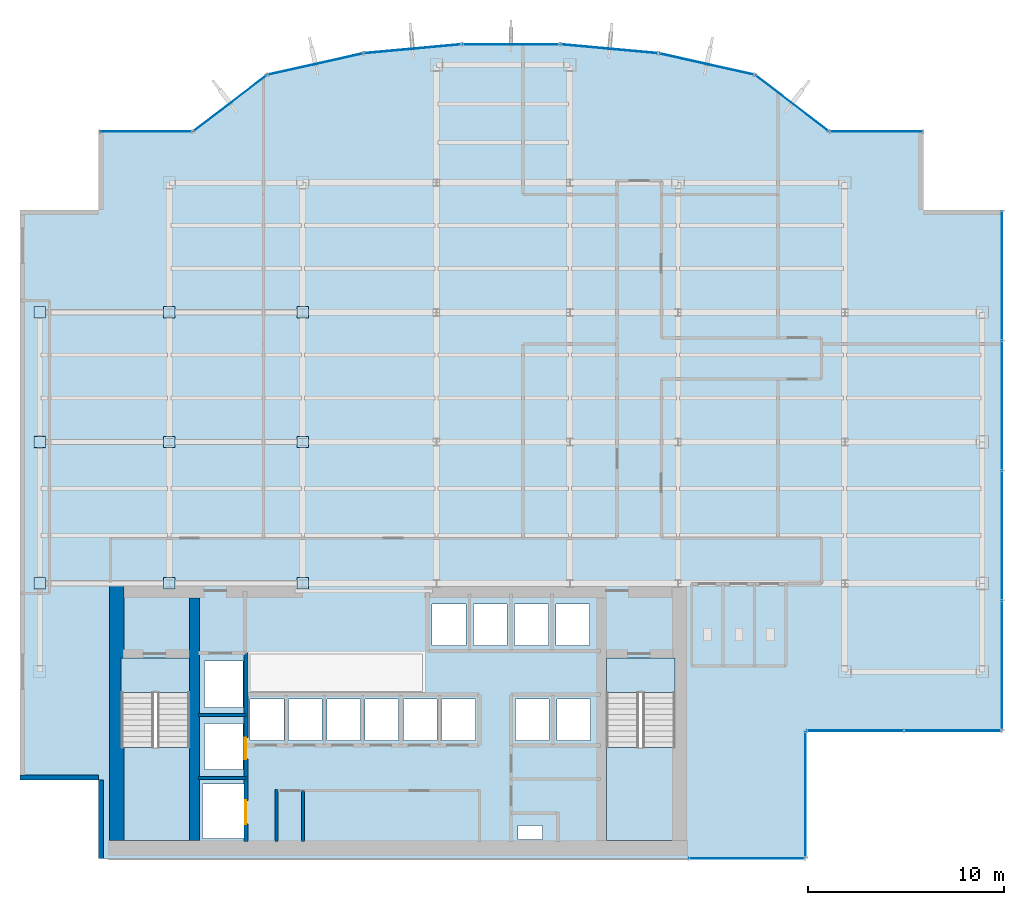
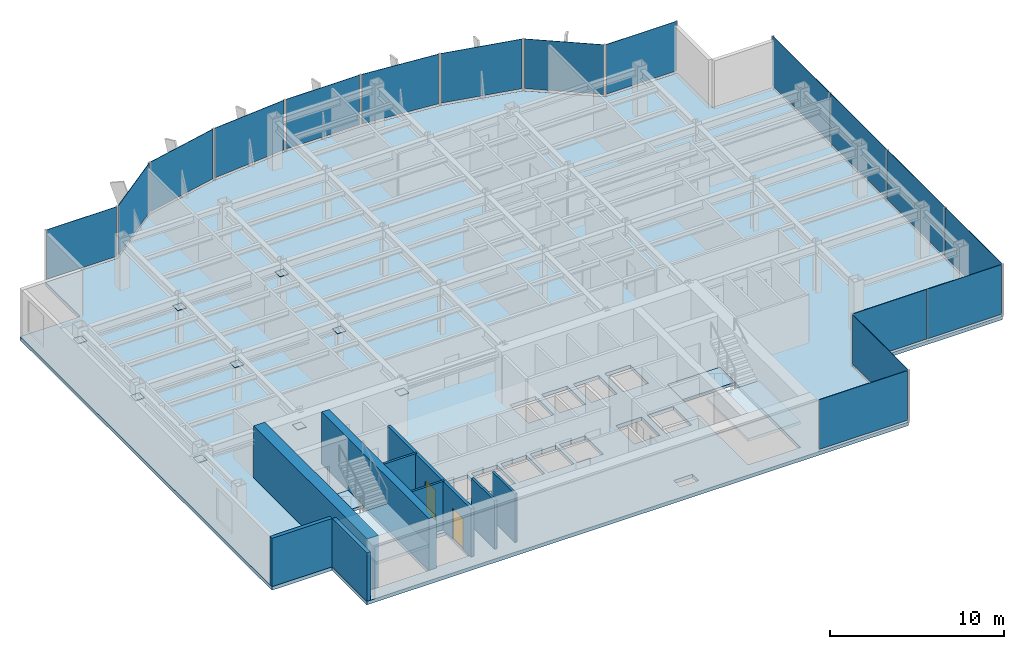
# One storey, part 13 of 19: 26 plates, 9 walls, 5 slabs, 2 doors, 2 openings, 15 elements without a shape of their own.
"""IFC4 building model written with IfcOpenShell, lengths in metres."""

from ifc_helpers import new_model, si_unit, derived_unit, direction, frame, frame_2d, origin, origin_2d, place, context, subcontext, project, spatial, polyline, rectangle, outline, extrude, source, transform, mapped, material, layer, layer_set, type_object, element, fill, aggregate, save


model = new_model("IFC4")

# Units and contexts
model_context = context("Model", 3, precision=1e-05, world=origin(), true_north=direction((0.0, 1.0)))
body_context = subcontext(model_context, "Body", "Model", "MODEL_VIEW")
ifc_project = project(units=[si_unit("LENGTHUNIT", "METRE"), si_unit("AREAUNIT", "SQUARE_METRE"), si_unit("VOLUMEUNIT", "CUBIC_METRE"), si_unit("PLANEANGLEUNIT", "RADIAN"), si_unit("MASSUNIT", "GRAM", prefix="KILO"), derived_unit("THERMALTRANSMITTANCEUNIT", [(si_unit("POWERUNIT", "WATT"), 1), (si_unit("LENGTHUNIT", "METRE"), -2), (si_unit("THERMODYNAMICTEMPERATUREUNIT", "KELVIN"), -1)])], contexts=[model_context])

# Site, building, storey
site_placement = place(None, origin())
site = spatial("IfcSite", under=ifc_project, at=site_placement, CompositionType="ELEMENT")
building_placement = place(site_placement, origin())
building = spatial("IfcBuilding", under=site, at=building_placement, Name="Skarnbrae Concourse Arena and Tower", CompositionType="ELEMENT")
storey_placement = place(building_placement, frame((0.0, 0.0, 180.75)))
storey = spatial("IfcBuildingStorey", under=building, at=storey_placement, Name="L46", CompositionType="ELEMENT", Elevation=180.75)

# Stair, slab
ifc_material_1 = material(Name="Concrete 40 MPa (C40/50)", Category="concrete")
stair_type = type_object("IfcStairType", Name="STAIR-DOGLEG-1650", PredefinedType="HALF_TURN_STAIR", material=ifc_material_1)
stair_1_placement = place(storey_placement, origin())
stair_1 = element("IfcStair", 1, at=stair_1_placement, inside=storey, type_object=stair_type, Name="L46 Protected Exit Stair ST-1", PredefinedType="HALF_TURN_STAIR")
ifc_layer_1 = layer(ifc_material_1, 0.199951171875)
ifc_layer_set_1 = layer_set([ifc_layer_1], Name="Concrete 40 MPa (C40/50)")
slab_type_1 = type_object("IfcSlabType", Name="SLAB-LANDING-200", PredefinedType="LANDING", material=ifc_layer_set_1)
slab_1_placement = place(storey_placement, frame((0.0, 0.0, 1.625)))
slab_1 = element("IfcSlab", 2, at=slab_1_placement, type_object=slab_type_1, Name="ST-1 landing 1", PredefinedType="LANDING", context=body_context, shape_type="SweptSolid", body=[
    extrude(outline(polyline([(5.14990234375, 5.64990234375), (5.14990234375, 0.89990234375), (8.64990234375, 0.89990234375), (8.64990234375, 5.64990234375), (5.14990234375, 5.64990234375)])), origin(), (0.0, 0.0, 1.0), 0.199951171875),
])
aggregate(stair_1, [slab_1])

stair_2_placement = place(storey_placement, origin())
stair_2 = element("IfcStair", 3, at=stair_2_placement, inside=storey, type_object=stair_type, Name="L46 Protected Exit Stair ST-2", PredefinedType="HALF_TURN_STAIR")
slab_2_placement = place(storey_placement, frame((0.0, 0.0, 1.625)))
slab_2 = element("IfcSlab", 4, at=slab_2_placement, type_object=slab_type_1, Name="ST-2 landing 1", PredefinedType="LANDING", context=body_context, shape_type="SweptSolid", body=[
    extrude(outline(polyline([(29.85009765625, 5.64990234375), (29.85009765625, 0.89990234375), (33.35009765625, 0.89990234375), (33.35009765625, 5.64990234375), (29.85009765625, 5.64990234375)])), origin(), (0.0, 0.0, 1.0), 0.199951171875),
])
aggregate(stair_2, [slab_2])

# Slabs
slab_3_placement = place(storey_placement, frame((0.0, 0.0, -0.199951171875)))
element("IfcSlab", 5, at=slab_3_placement, inside=storey, type_object=slab_type_1, Name="L46 Core stair ST1 floor landing", PredefinedType="LANDING", context=body_context, shape_type="SweptSolid", body=[
    extrude(outline(polyline([(5.14990234375, 10.199951171875), (5.14990234375, 8.449951171875), (8.64990234375, 8.449951171875), (8.64990234375, 10.199951171875), (5.14990234375, 10.199951171875)])), origin(), (0.0, 0.0, 1.0), 0.199951171875),
])
slab_4_placement = place(storey_placement, frame((0.0, 0.0, -0.199951171875)))
element("IfcSlab", 6, at=slab_4_placement, inside=storey, type_object=slab_type_1, Name="L46 Core stair ST2 floor landing", PredefinedType="LANDING", context=body_context, shape_type="SweptSolid", body=[
    extrude(outline(polyline([(29.85009765625, 10.199951171875), (29.85009765625, 8.449951171875), (33.35009765625, 8.449951171875), (33.35009765625, 10.199951171875), (29.85009765625, 10.199951171875)])), origin(), (0.0, 0.0, 1.0), 0.199951171875),
])
ifc_layer_2 = layer(ifc_material_1, 0.25)
ifc_layer_set_2 = layer_set([ifc_layer_2], Name="Concrete 40 MPa (C40/50)")
slab_type_2 = type_object("IfcSlabType", Name="SLAB-TOWER-250", PredefinedType="FLOOR", material=ifc_layer_set_2)
slab_5_placement = place(storey_placement, frame((0.0, 0.0, -0.25)))
element("IfcSlab", 7, at=slab_5_placement, inside=storey, type_object=slab_type_2, Name="L46 Structural floor slab", PredefinedType="FLOOR", context=body_context, shape_type="SweptSolid", body=[
    extrude(outline(polyline([(4.0, 0.0), (40.0, 0.0), (40.0, 6.5), (50.0, 6.5), (50.0, 33.0), (46.0, 33.0), (46.0, 37.0), (41.199951171875, 37.0), (37.409423828125, 39.892578125), (32.51220703125, 40.98681640625), (27.51123046875, 41.445556640625), (22.48876953125, 41.445556640625), (17.48779296875, 40.98681640625), (12.590576171875, 39.892578125), (8.800048828125, 37.0), (4.0, 37.0), (4.0, 33.0), (0.0, 33.0), (0.0, 4.0), (4.0, 4.0), (4.0, 0.0)]), holes=[polyline([(9.294921875, 3.780029296875), (11.455078125, 3.780029296875), (11.455078125, 1.02001953125), (9.294921875, 1.02001953125), (9.294921875, 3.780029296875)]), polyline([(8.64990234375, 10.199951171875), (8.64990234375, 0.89990234375), (5.14990234375, 0.89990234375), (5.14990234375, 10.199951171875), (8.64990234375, 10.199951171875)]), polyline([(9.39501953125, 6.8798828125), (11.35498046875, 6.8798828125), (11.35498046875, 4.52001953125), (9.39501953125, 4.52001953125), (9.39501953125, 6.8798828125)]), polyline([(11.719970703125, 8.10498046875), (13.429931640625, 8.10498046875), (13.429931640625, 5.9951171875), (11.719970703125, 5.9951171875), (11.719970703125, 8.10498046875)]), polyline([(13.669921875, 8.10498046875), (15.3798828125, 8.10498046875), (15.3798828125, 5.9951171875), (13.669921875, 5.9951171875), (13.669921875, 8.10498046875)]), polyline([(15.6201171875, 8.10498046875), (17.330078125, 8.10498046875), (17.330078125, 5.9951171875), (15.6201171875, 5.9951171875), (15.6201171875, 8.10498046875)]), polyline([(17.570068359375, 8.10498046875), (19.280029296875, 8.10498046875), (19.280029296875, 5.9951171875), (17.570068359375, 5.9951171875), (17.570068359375, 8.10498046875)]), polyline([(21.22998046875, 8.10498046875), (21.22998046875, 5.9951171875), (19.52001953125, 5.9951171875), (19.52001953125, 8.10498046875), (21.22998046875, 8.10498046875)]), polyline([(11.35498046875, 10.054931640625), (11.35498046875, 7.695068359375), (9.39501953125, 7.695068359375), (9.39501953125, 10.054931640625), (11.35498046875, 10.054931640625)]), polyline([(25.35009765625, 1.669921875), (26.60009765625, 1.669921875), (26.60009765625, 0.949951171875), (25.35009765625, 0.949951171875), (25.35009765625, 1.669921875)]), polyline([(33.35009765625, 10.199951171875), (33.35009765625, 0.89990234375), (29.85009765625, 0.89990234375), (29.85009765625, 10.199951171875), (33.35009765625, 10.199951171875)]), polyline([(21.469970703125, 8.10498046875), (23.179931640625, 8.10498046875), (23.179931640625, 5.9951171875), (21.469970703125, 5.9951171875), (21.469970703125, 8.10498046875)]), polyline([(25.235107421875, 8.10498046875), (26.945068359375, 8.10498046875), (26.945068359375, 5.9951171875), (25.235107421875, 5.9951171875), (25.235107421875, 8.10498046875)]), polyline([(27.3349609375, 8.10498046875), (29.044921875, 8.10498046875), (29.044921875, 5.9951171875), (27.3349609375, 5.9951171875), (27.3349609375, 8.10498046875)]), polyline([(20.985107421875, 12.955078125), (22.695068359375, 12.955078125), (22.695068359375, 10.844970703125), (20.985107421875, 10.844970703125), (20.985107421875, 12.955078125)]), polyline([(23.0849609375, 12.955078125), (24.794921875, 12.955078125), (24.794921875, 10.844970703125), (23.0849609375, 10.844970703125), (23.0849609375, 12.955078125)]), polyline([(26.89501953125, 12.955078125), (26.89501953125, 10.844970703125), (25.18505859375, 10.844970703125), (25.18505859375, 12.955078125), (26.89501953125, 12.955078125)]), polyline([(28.9951171875, 12.955078125), (28.9951171875, 10.844970703125), (27.284912109375, 10.844970703125), (27.284912109375, 12.955078125), (28.9951171875, 12.955078125)])]), origin(), (0.0, 0.0, 1.0), 0.25),
])

# Plates
ifc_material_2 = material(Name="Steel CSA G40.21 350W", Category="steel")
ifc_layer_3 = layer(ifc_material_2, 0.031982421875)
ifc_layer_set_3 = layer_set([ifc_layer_3], Name="Steel CSA G40.21 350W")
plate_type_1 = type_object("IfcPlateType", Name="PLT-CAP-HOLLOW", PredefinedType="USERDEFINED", material=ifc_layer_set_3)
shared_shape_1 = source(origin(), body_context, "Body", "SweptSolid", [
    extrude(rectangle(XDim=0.580078125, YDim=0.580078125, at=origin_2d()), origin(), (0.0, 0.0, 1.0), 0.031982421875),
])
for number, where, z_axis, x_axis, name in (
    (8, (14.39990234375, 14.0, 2.55419921875), (0.0, 0.0, 1.0), (1.0, 0.0, 0.0), "L46 Sky pool chord end plate 1.1A"),
    (9, (7.60009765625, 14.0, 2.55419921875), (0.0, 0.0, 1.0), (1.0, 0.0, 0.0), "L46 Sky pool chord end plate 1.1B"),
    (10, (1.0, 14.0, 2.55419921875), (0.0, 0.0, 1.0), (1.0, 0.0, 0.0), "L46 Sky pool chord end plate 1.2B"),
    (11, (14.39990234375, 21.199951171875, 2.55419921875), (0.0, 0.0, 1.0), (1.0, 0.0, 0.0), "L46 Sky pool chord end plate 2.1A"),
    (12, (7.60009765625, 21.199951171875, 2.55419921875), (0.0, 0.0, 1.0), (1.0, 0.0, 0.0), "L46 Sky pool chord end plate 2.1B"),
    (13, (1.0, 21.199951171875, 2.55419921875), (0.0, 0.0, 1.0), (1.0, 0.0, 0.0), "L46 Sky pool chord end plate 2.2B"),
    (14, (14.39990234375, 27.800048828125, 2.55419921875), (0.0, 0.0, 1.0), (1.0, 0.0, 0.0), "L46 Sky pool chord end plate 3.1A"),
    (15, (7.60009765625, 27.800048828125, 2.55419921875), (0.0, 0.0, 1.0), (1.0, 0.0, 0.0), "L46 Sky pool chord end plate 3.1B"),
    (16, (1.0, 27.800048828125, 2.55419921875), (0.0, 0.0, 1.0), (1.0, 0.0, 0.0), "L46 Sky pool chord end plate 3.2B"),
):
    element("IfcPlate", number, at=place(storey_placement, frame(where, z_axis=z_axis, x_axis=x_axis)), inside=storey, type_object=plate_type_1, Name=name, ObjectType="CAP PLATE", PredefinedType="USERDEFINED", context=body_context, shape_type="MappedRepresentation", body=[
        mapped(shared_shape_1, transform((0.0, 0.0, 0.0))),
    ])

# Curtain wall, plates
ifc_material_3 = material(Name="Bronze anodised aluminium 6063-T6", Category="aluminium")
curtain_wall_type = type_object("IfcCurtainWallType", Name="CW-SYS-04-MIDZONE", PredefinedType="USERDEFINED", material=ifc_material_3)
curtain_wall_1_placement = place(storey_placement, origin())
curtain_wall_1 = element("IfcCurtainWall", 17, at=curtain_wall_1_placement, inside=storey, type_object=curtain_wall_type, Name="L46 Unitised curtain wall CW-L46-E03", ObjectType="UNITISED CURTAIN WALL", PredefinedType="USERDEFINED")
ifc_material_4 = material(Name="Low-E triple insulating glass", Category="glass")
ifc_layer_4 = layer(ifc_material_4, 0.031982421875)
ifc_layer_set_4 = layer_set([ifc_layer_4], Name="Low-E triple insulating glass")
plate_type_2 = type_object("IfcPlateType", Name="CWP-CW-04", PredefinedType="CURTAIN_PANEL", material=ifc_layer_set_4)
shared_shape_2 = source(origin(), body_context, "Body", "SweptSolid", [
    extrude(rectangle(XDim=4.887451171875, YDim=0.031982421875, at=origin_2d()), origin(), (0.0, 0.0, 1.0), 3.489990234375),
])
plate_1_placement = place(storey_placement, frame((42.518798828125, 6.5, 0.16015625), z_axis=(0.0, 0.0, 1.0), x_axis=(1.0, 0.0, 0.0)))
plate_1 = element("IfcPlate", 18, at=plate_1_placement, type_object=plate_type_2, Name="CW-L46-E03 Low-E Glazing Panel 1", PredefinedType="CURTAIN_PANEL", context=body_context, shape_type="MappedRepresentation", body=[
    mapped(shared_shape_2, transform((0.0, 0.0, 0.0))),
])
plate_2_placement = place(storey_placement, frame((47.481201171875, 6.5, 0.16015625), z_axis=(0.0, 0.0, 1.0), x_axis=(1.0, 0.0, 0.0)))
plate_2 = element("IfcPlate", 19, at=plate_2_placement, type_object=plate_type_2, Name="CW-L46-E03 Low-E Glazing Panel 2", PredefinedType="CURTAIN_PANEL", context=body_context, shape_type="MappedRepresentation", body=[
    mapped(shared_shape_2, transform((0.0, 0.0, 0.0))),
])
aggregate(curtain_wall_1, [plate_1, plate_2])

# Curtain wall, plate
curtain_wall_2_placement = place(storey_placement, origin())
curtain_wall_2 = element("IfcCurtainWall", 20, at=curtain_wall_2_placement, inside=storey, type_object=curtain_wall_type, Name="L46 Unitised curtain wall CW-L46-SE-SPINE", ObjectType="UNITISED CURTAIN WALL", PredefinedType="USERDEFINED")
shared_shape_3 = source(origin(), body_context, "Body", "SweptSolid", [
    extrude(rectangle(XDim=5.85009765625, YDim=0.031982421875, at=origin_2d()), origin(), (0.0, 0.0, 1.0), 3.489990234375),
])
plate_3_placement = place(storey_placement, frame((37.0, 0.0, 0.16015625), z_axis=(0.0, 0.0, 1.0), x_axis=(1.0, 0.0, 0.0)))
plate_3 = element("IfcPlate", 21, at=plate_3_placement, type_object=plate_type_2, Name="CW-L46-SE-SPINE Low-E Glazing Panel 1", PredefinedType="CURTAIN_PANEL", context=body_context, shape_type="MappedRepresentation", body=[
    mapped(shared_shape_3, transform((0.0, 0.0, 0.0))),
])
aggregate(curtain_wall_2, [plate_3])

curtain_wall_3_placement = place(storey_placement, origin())
curtain_wall_3 = element("IfcCurtainWall", 22, at=curtain_wall_3_placement, inside=storey, type_object=curtain_wall_type, Name="L46 Unitised curtain wall CW-L46-E02", ObjectType="UNITISED CURTAIN WALL", PredefinedType="USERDEFINED")
shared_shape_4 = source(origin(), body_context, "Body", "SweptSolid", [
    extrude(rectangle(XDim=6.35009765625, YDim=0.031982421875, at=origin_2d()), origin(), (0.0, 0.0, 1.0), 3.489990234375),
])
plate_4_placement = place(storey_placement, frame((40.0, 3.25, 0.16015625), z_axis=(0.0, 0.0, 1.0), x_axis=(0.0, 1.0, 0.0)))
plate_4 = element("IfcPlate", 23, at=plate_4_placement, type_object=plate_type_2, Name="CW-L46-E02 Low-E Glazing Panel 1", PredefinedType="CURTAIN_PANEL", context=body_context, shape_type="MappedRepresentation", body=[
    mapped(shared_shape_4, transform((0.0, 0.0, 0.0))),
])
aggregate(curtain_wall_3, [plate_4])

curtain_wall_4_placement = place(storey_placement, origin())
curtain_wall_4 = element("IfcCurtainWall", 24, at=curtain_wall_4_placement, inside=storey, type_object=curtain_wall_type, Name="L46 Unitised curtain wall CW-L46-E07", ObjectType="UNITISED CURTAIN WALL", PredefinedType="USERDEFINED")
shared_shape_5 = source(origin(), body_context, "Body", "SweptSolid", [
    extrude(rectangle(XDim=4.64990234375, YDim=0.031982421875, at=origin_2d()), origin(), (0.0, 0.0, 1.0), 3.489990234375),
])
plate_5_placement = place(storey_placement, frame((43.60009765625, 37.0, 0.16015625), z_axis=(0.0, 0.0, 1.0), x_axis=(-1.0, 0.0, 0.0)))
plate_5 = element("IfcPlate", 25, at=plate_5_placement, type_object=plate_type_2, Name="CW-L46-E07 Low-E Glazing Panel 1", PredefinedType="CURTAIN_PANEL", context=body_context, shape_type="MappedRepresentation", body=[
    mapped(shared_shape_5, transform((0.0, 0.0, 0.0))),
])
aggregate(curtain_wall_4, [plate_5])

curtain_wall_5_placement = place(storey_placement, origin())
curtain_wall_5 = element("IfcCurtainWall", 26, at=curtain_wall_5_placement, inside=storey, type_object=curtain_wall_type, Name="L46 Unitised curtain wall CW-L46-E15", ObjectType="UNITISED CURTAIN WALL", PredefinedType="USERDEFINED")
plate_6_placement = place(storey_placement, frame((6.39990234375, 37.0, 0.16015625), z_axis=(0.0, 0.0, 1.0), x_axis=(-1.0, 0.0, 0.0)))
plate_6 = element("IfcPlate", 27, at=plate_6_placement, type_object=plate_type_2, Name="CW-L46-E15 Low-E Glazing Panel 1", PredefinedType="CURTAIN_PANEL", context=body_context, shape_type="MappedRepresentation", body=[
    mapped(shared_shape_5, transform((0.0, 0.0, 0.0))),
])
aggregate(curtain_wall_5, [plate_6])

curtain_wall_6_placement = place(storey_placement, origin())
curtain_wall_6 = element("IfcCurtainWall", 28, at=curtain_wall_6_placement, inside=storey, type_object=curtain_wall_type, Name="L46 Unitised curtain wall CW-L46-E08", ObjectType="UNITISED CURTAIN WALL", PredefinedType="USERDEFINED")
shared_shape_6 = source(origin(), body_context, "Body", "SweptSolid", [
    extrude(rectangle(XDim=4.6181640625, YDim=0.031982421875, at=origin_2d()), origin(), (0.0, 0.0, 1.0), 3.489990234375),
])
plate_7_placement = place(storey_placement, frame((39.3046875, 38.4462890625, 0.16015625), z_axis=(0.0, 0.0, 1.0), x_axis=(-0.794956000706, 0.606667089054, 0.0)))
plate_7 = element("IfcPlate", 29, at=plate_7_placement, type_object=plate_type_2, Name="CW-L46-E08 Low-E Glazing Panel 1", PredefinedType="CURTAIN_PANEL", context=body_context, shape_type="MappedRepresentation", body=[
    mapped(shared_shape_6, transform((0.0, 0.0, 0.0))),
])
aggregate(curtain_wall_6, [plate_7])

curtain_wall_7_placement = place(storey_placement, origin())
curtain_wall_7 = element("IfcCurtainWall", 30, at=curtain_wall_7_placement, inside=storey, type_object=curtain_wall_type, Name="L46 Unitised curtain wall CW-L46-E14", ObjectType="UNITISED CURTAIN WALL", PredefinedType="USERDEFINED")
plate_8_placement = place(storey_placement, frame((10.6953125, 38.4462890625, 0.16015625), z_axis=(0.0, 0.0, 1.0), x_axis=(-0.794956000706, -0.606667089054, 0.0)))
plate_8 = element("IfcPlate", 31, at=plate_8_placement, type_object=plate_type_2, Name="CW-L46-E14 Low-E Glazing Panel 1", PredefinedType="CURTAIN_PANEL", context=body_context, shape_type="MappedRepresentation", body=[
    mapped(shared_shape_6, transform((0.0, 0.0, 0.0))),
])
aggregate(curtain_wall_7, [plate_8])

curtain_wall_8_placement = place(storey_placement, origin())
curtain_wall_8 = element("IfcCurtainWall", 32, at=curtain_wall_8_placement, inside=storey, type_object=curtain_wall_type, Name="L46 Unitised curtain wall CW-L46-E09", ObjectType="UNITISED CURTAIN WALL", PredefinedType="USERDEFINED")
shared_shape_7 = source(origin(), body_context, "Body", "SweptSolid", [
    extrude(rectangle(XDim=4.867919921875, YDim=0.031982421875, at=origin_2d()), origin(), (0.0, 0.0, 1.0), 3.489990234375),
])
plate_9_placement = place(storey_placement, frame((34.9609375, 40.439697265625, 0.16015625), z_axis=(0.0, 0.0, 1.0), x_axis=(-0.975936175393, 0.218056372433, 0.0)))
plate_9 = element("IfcPlate", 33, at=plate_9_placement, type_object=plate_type_2, Name="CW-L46-E09 Low-E Glazing Panel 1", PredefinedType="CURTAIN_PANEL", context=body_context, shape_type="MappedRepresentation", body=[
    mapped(shared_shape_7, transform((0.0, 0.0, 0.0))),
])
aggregate(curtain_wall_8, [plate_9])

curtain_wall_9_placement = place(storey_placement, origin())
curtain_wall_9 = element("IfcCurtainWall", 34, at=curtain_wall_9_placement, inside=storey, type_object=curtain_wall_type, Name="L46 Unitised curtain wall CW-L46-E13", ObjectType="UNITISED CURTAIN WALL", PredefinedType="USERDEFINED")
plate_10_placement = place(storey_placement, frame((15.0390625, 40.439697265625, 0.16015625), z_axis=(0.0, 0.0, 1.0), x_axis=(-0.975936175393, -0.218056372433, 0.0)))
plate_10 = element("IfcPlate", 35, at=plate_10_placement, type_object=plate_type_2, Name="CW-L46-E13 Low-E Glazing Panel 1", PredefinedType="CURTAIN_PANEL", context=body_context, shape_type="MappedRepresentation", body=[
    mapped(shared_shape_7, transform((0.0, 0.0, 0.0))),
])
aggregate(curtain_wall_9, [plate_10])

curtain_wall_10_placement = place(storey_placement, origin())
curtain_wall_10 = element("IfcCurtainWall", 36, at=curtain_wall_10_placement, inside=storey, type_object=curtain_wall_type, Name="L46 Unitised curtain wall CW-L46-E10", ObjectType="UNITISED CURTAIN WALL", PredefinedType="USERDEFINED")
shared_shape_8 = source(origin(), body_context, "Body", "SweptSolid", [
    extrude(rectangle(XDim=4.8720703125, YDim=0.031982421875, at=origin_2d()), origin(), (0.0, 0.0, 1.0), 3.489990234375),
])
plate_11_placement = place(storey_placement, frame((30.01171875, 41.21630859375, 0.16015625), z_axis=(0.0, 0.0, 1.0), x_axis=(-0.995819926016, 0.091338244731, 0.0)))
plate_11 = element("IfcPlate", 37, at=plate_11_placement, type_object=plate_type_2, Name="CW-L46-E10 Low-E Glazing Panel 1", PredefinedType="CURTAIN_PANEL", context=body_context, shape_type="MappedRepresentation", body=[
    mapped(shared_shape_8, transform((0.0, 0.0, 0.0))),
])
aggregate(curtain_wall_10, [plate_11])

curtain_wall_11_placement = place(storey_placement, origin())
curtain_wall_11 = element("IfcCurtainWall", 38, at=curtain_wall_11_placement, inside=storey, type_object=curtain_wall_type, Name="L46 Unitised curtain wall CW-L46-E12", ObjectType="UNITISED CURTAIN WALL", PredefinedType="USERDEFINED")
plate_12_placement = place(storey_placement, frame((19.98828125, 41.21630859375, 0.16015625), z_axis=(0.0, 0.0, 1.0), x_axis=(-0.995819926016, -0.091338244731, 0.0)))
plate_12 = element("IfcPlate", 39, at=plate_12_placement, type_object=plate_type_2, Name="CW-L46-E12 Low-E Glazing Panel 1", PredefinedType="CURTAIN_PANEL", context=body_context, shape_type="MappedRepresentation", body=[
    mapped(shared_shape_8, transform((0.0, 0.0, 0.0))),
])
aggregate(curtain_wall_11, [plate_12])

curtain_wall_12_placement = place(storey_placement, origin())
curtain_wall_12 = element("IfcCurtainWall", 40, at=curtain_wall_12_placement, inside=storey, type_object=curtain_wall_type, Name="L46 Unitised curtain wall CW-L46-E11", ObjectType="UNITISED CURTAIN WALL", PredefinedType="USERDEFINED")
shared_shape_9 = source(origin(), body_context, "Body", "SweptSolid", [
    extrude(rectangle(XDim=4.87255859375, YDim=0.031982421875, at=origin_2d()), origin(), (0.0, 0.0, 1.0), 3.489990234375),
])
plate_13_placement = place(storey_placement, frame((25.0, 41.445556640625, 0.16015625), z_axis=(0.0, 0.0, 1.0), x_axis=(-1.0, 0.0, 0.0)))
plate_13 = element("IfcPlate", 41, at=plate_13_placement, type_object=plate_type_2, Name="CW-L46-E11 Low-E Glazing Panel 1", PredefinedType="CURTAIN_PANEL", context=body_context, shape_type="MappedRepresentation", body=[
    mapped(shared_shape_9, transform((0.0, 0.0, 0.0))),
])
aggregate(curtain_wall_12, [plate_13])

# Curtain wall, plates
curtain_wall_13_placement = place(storey_placement, origin())
curtain_wall_13 = element("IfcCurtainWall", 42, at=curtain_wall_13_placement, inside=storey, type_object=curtain_wall_type, Name="L46 Unitised curtain wall CW-L46-E04", ObjectType="UNITISED CURTAIN WALL", PredefinedType="USERDEFINED")
shared_shape_10 = source(origin(), body_context, "Body", "SweptSolid", [
    extrude(rectangle(XDim=6.512451171875, YDim=0.031982421875, at=origin_2d()), origin(), (0.0, 0.0, 1.0), 3.489990234375),
])
plate_14_placement = place(storey_placement, frame((50.0, 9.831298828125, 0.16015625), z_axis=(0.0, 0.0, 1.0), x_axis=(0.0, 1.0, 0.0)))
plate_14 = element("IfcPlate", 43, at=plate_14_placement, type_object=plate_type_2, Name="CW-L46-E04 Low-E Glazing Panel 1", PredefinedType="CURTAIN_PANEL", context=body_context, shape_type="MappedRepresentation", body=[
    mapped(shared_shape_10, transform((0.0, 0.0, 0.0))),
])
plate_15_placement = place(storey_placement, frame((50.0, 29.668701171875, 0.16015625), z_axis=(0.0, 0.0, 1.0), x_axis=(0.0, 1.0, 0.0)))
plate_15 = element("IfcPlate", 44, at=plate_15_placement, type_object=plate_type_2, Name="CW-L46-E04 Low-E Glazing Panel 4", PredefinedType="CURTAIN_PANEL", context=body_context, shape_type="MappedRepresentation", body=[
    mapped(shared_shape_10, transform((0.0, 0.0, 0.0))),
])
shared_shape_11 = source(origin(), body_context, "Body", "SweptSolid", [
    extrude(rectangle(XDim=6.550048828125, YDim=0.031982421875, at=origin_2d()), origin(), (0.0, 0.0, 1.0), 3.489990234375),
])
plate_16_placement = place(storey_placement, frame((50.0, 16.4375, 0.16015625), z_axis=(0.0, 0.0, 1.0), x_axis=(0.0, 1.0, 0.0)))
plate_16 = element("IfcPlate", 45, at=plate_16_placement, type_object=plate_type_2, Name="CW-L46-E04 Low-E Glazing Panel 2", PredefinedType="CURTAIN_PANEL", context=body_context, shape_type="MappedRepresentation", body=[
    mapped(shared_shape_11, transform((0.0, 0.0, 0.0))),
])
plate_17_placement = place(storey_placement, frame((50.0, 23.0625, 0.16015625), z_axis=(0.0, 0.0, 1.0), x_axis=(0.0, 1.0, 0.0)))
plate_17 = element("IfcPlate", 46, at=plate_17_placement, type_object=plate_type_2, Name="CW-L46-E04 Low-E Glazing Panel 3", PredefinedType="CURTAIN_PANEL", context=body_context, shape_type="MappedRepresentation", body=[
    mapped(shared_shape_11, transform((0.0, 0.0, 0.0))),
])
aggregate(curtain_wall_13, [plate_14, plate_16, plate_17, plate_15])

# Walls
ifc_material_5 = material(Name="Concrete 60 MPa (C60/75)", Category="concrete")
ifc_layer_5 = layer(ifc_material_5, 0.75)
ifc_layer_set_5 = layer_set([ifc_layer_5], Name="Concrete 60 MPa (C60/75)")
wall_type_1 = type_object("IfcWallType", Name="WALL-CORE-750-C60", PredefinedType="SHEAR", material=ifc_layer_set_5)
shared_shape_12 = source(origin(), body_context, "Body", "SweptSolid", [
    extrude(rectangle(XDim=13.10009765625, YDim=0.75, at=frame_2d((6.550048828125, 0.0))), origin(), (0.0, 0.0, 1.0), 3.64990234375),
])
wall_1_placement = place(storey_placement, frame((4.925048828125, 0.89990234375, 0.0), z_axis=(0.0, 0.0, 1.0), x_axis=(0.0, 1.0, 0.0)))
element("IfcWall", 47, at=wall_1_placement, inside=storey, type_object=wall_type_1, Name="L46 Rear core shear wall CW-W", PredefinedType="SHEAR", context=body_context, shape_type="MappedRepresentation", body=[
    mapped(shared_shape_12, transform((0.0, 0.0, 0.0))),
])
ifc_layer_6 = layer(ifc_material_5, 0.5)
ifc_layer_set_6 = layer_set([ifc_layer_6], Name="Concrete 60 MPa (C60/75)")
wall_type_2 = type_object("IfcWallType", Name="WALL-CORE-500-C60", PredefinedType="SHEAR", material=ifc_layer_set_6)
shared_shape_13 = source(origin(), body_context, "Body", "SweptSolid", [
    extrude(rectangle(XDim=12.35009765625, YDim=0.5, at=frame_2d((6.175048828125, 0.0))), origin(), (0.0, 0.0, 1.0), 3.64990234375),
])
wall_2_placement = place(storey_placement, frame((8.889892578125, 0.89990234375, 0.0), z_axis=(0.0, 0.0, 1.0), x_axis=(0.0, 1.0, 0.0)))
element("IfcWall", 48, at=wall_2_placement, inside=storey, type_object=wall_type_2, Name="L46 Rear core shear wall CW-WEB-W", PredefinedType="SHEAR", context=body_context, shape_type="MappedRepresentation", body=[
    mapped(shared_shape_13, transform((0.0, 0.0, 0.0))),
])
ifc_material_6 = material(Name="Precast concrete 40 MPa (C40/50)", Category="concrete")
ifc_layer_7 = layer(ifc_material_6, 0.25)
ifc_layer_set_7 = layer_set([ifc_layer_7], Name="Precast concrete 40 MPa (C40/50)")
wall_type_3 = type_object("IfcWallType", Name="WALL-EXT-SPANDREL-250", PredefinedType="STANDARD", material=ifc_layer_set_7)
shared_shape_14 = source(origin(), body_context, "Body", "SweptSolid", [
    extrude(rectangle(XDim=4.0, YDim=0.25, at=frame_2d((2.0, 0.0))), origin(), (0.0, 0.0, 1.0), 3.39990234375),
])
for number, where, z_axis, x_axis, name in (
    (49, (0.0, 4.125, 0.0), (0.0, 0.0, 1.0), (1.0, 0.0, 0.0), "L46 Notched corner insulated return wall 19"),
    (50, (4.125, 4.0, 0.0), (0.0, 0.0, 1.0), (0.0, -1.0, 0.0), "L46 Notched corner insulated return wall 20"),
):
    element("IfcWall", number, at=place(storey_placement, frame(where, z_axis=z_axis, x_axis=x_axis)), inside=storey, type_object=wall_type_3, Name=name, PredefinedType="STANDARD", context=body_context, shape_type="MappedRepresentation", body=[
        mapped(shared_shape_14, transform((0.0, 0.0, 0.0))),
    ])

# Wall, openings, doors
ifc_material_7 = material(Name="Gypsum board on cold-formed steel studs", Category="steel")
ifc_layer_8 = layer(ifc_material_7, 0.199951171875)
ifc_layer_set_8 = layer_set([ifc_layer_8], Name="Gypsum board on cold-formed steel studs")
wall_type_4 = type_object("IfcWallType", Name="WALL-PART-200-2HR", PredefinedType="PARTITIONING", material=ifc_layer_set_8)
shared_shape_15 = source(origin(), body_context, "Body", "SweptSolid", [
    extrude(rectangle(XDim=9.599853515625, YDim=0.199951171875, at=frame_2d((4.7998046875, 0.0))), origin(), (0.0, 0.0, 1.0), 3.39990234375),
])
wall_3_placement = place(storey_placement, frame((11.5, 0.85009765625, 0.0), z_axis=(0.0, 0.0, 1.0), x_axis=(0.0, 1.0, 0.0)))
wall_3 = element("IfcWall", 51, at=wall_3_placement, inside=storey, type_object=wall_type_4, Name="L46 Interior partition wall W-L46-FL-E", PredefinedType="PARTITIONING", context=body_context, shape_type="MappedRepresentation", body=[
    mapped(shared_shape_15, transform((0.0, 0.0, 0.0))),
])
opening_1_placement = place(wall_3_placement, frame((4.199951171875, 0.0, 0.0)))
opening_1 = element("IfcOpeningElement", 52, at=opening_1_placement, cuts=wall_3, Name="Opening LD-01", PredefinedType="OPENING", context=body_context, shape_type="SweptSolid", body=[
    extrude(rectangle(XDim=1.10009765625, YDim=2.14990234375, at=frame_2d((0.550048828125, 1.074951171875))), frame((0.0, 0.10986328125, 0.0), z_axis=(0.0, -1.0, 0.0), x_axis=(1.0, 0.0, 0.0)), (0.0, 0.0, 1.0), 0.219970703125),
])
opening_2_placement = place(wall_3_placement, frame((0.89990234375, 0.0, 0.0)))
opening_2 = element("IfcOpeningElement", 53, at=opening_2_placement, cuts=wall_3, Name="Opening LD-02", PredefinedType="OPENING", context=body_context, shape_type="SweptSolid", body=[
    extrude(rectangle(XDim=1.199951171875, YDim=2.14990234375, at=frame_2d((0.60009765625, 1.074951171875))), frame((0.0, 0.10986328125, 0.0), z_axis=(0.0, -1.0, 0.0), x_axis=(1.0, 0.0, 0.0)), (0.0, 0.0, 1.0), 0.219970703125),
])
door_type_1 = type_object("IfcDoorType", Name="DOOR-LIFT-SLIDE-1100", OperationType="SLIDING_TO_LEFT", PredefinedType="DOOR", material=ifc_material_2)
shared_shape_16 = source(origin(), body_context, "Body", "SweptSolid", [
    extrude(rectangle(XDim=1.10009765625, YDim=2.14990234375, at=frame_2d((0.550048828125, 1.074951171875))), frame((0.0, 0.02490234375, 0.0), z_axis=(0.0, -1.0, 0.0), x_axis=(1.0, 0.0, 0.0)), (0.0, 0.0, 1.0), 0.050048828125),
])
door_1_placement = place(opening_1_placement, frame((1.10009765625, 0.0, 0.0), z_axis=(0.0, 0.0, 1.0), x_axis=(-1.0, 0.0, 0.0)))
door_1 = element("IfcDoor", 54, at=door_1_placement, inside=storey, type_object=door_type_1, Name="D-1411 Firefighting Lift Landing Door FL-02", OperationType="SLIDING_TO_LEFT", OverallHeight=2.14990234375, OverallWidth=1.10009765625, PredefinedType="DOOR", context=body_context, shape_type="MappedRepresentation", body=[
    mapped(shared_shape_16, transform((0.0, 0.0, 0.0))),
])
fill(opening_1, door_1)
door_type_2 = type_object("IfcDoorType", Name="DOOR-LIFT-SLIDE-1200", OperationType="SLIDING_TO_LEFT", PredefinedType="DOOR", material=ifc_material_2)
shared_shape_17 = source(origin(), body_context, "Body", "SweptSolid", [
    extrude(rectangle(XDim=1.199951171875, YDim=2.14990234375, at=frame_2d((0.60009765625, 1.074951171875))), frame((0.0, 0.02490234375, 0.0), z_axis=(0.0, -1.0, 0.0), x_axis=(1.0, 0.0, 0.0)), (0.0, 0.0, 1.0), 0.050048828125),
])
door_2_placement = place(opening_2_placement, frame((1.199951171875, 0.0, 0.0), z_axis=(0.0, 0.0, 1.0), x_axis=(-1.0, 0.0, 0.0)))
door_2 = element("IfcDoor", 55, at=door_2_placement, inside=storey, type_object=door_type_2, Name="D-1412 Service Lift Landing Door SV-01", OperationType="SLIDING_TO_LEFT", OverallHeight=2.14990234375, OverallWidth=1.199951171875, PredefinedType="DOOR", context=body_context, shape_type="MappedRepresentation", body=[
    mapped(shared_shape_17, transform((0.0, 0.0, 0.0))),
])
fill(opening_2, door_2)

# Walls
ifc_layer_9 = layer(ifc_material_7, 0.14990234375)
ifc_layer_set_9 = layer_set([ifc_layer_9], Name="Gypsum board on cold-formed steel studs")
wall_type_5 = type_object("IfcWallType", Name="WALL-PART-150", PredefinedType="PARTITIONING", material=ifc_layer_set_9)
shared_shape_18 = source(origin(), body_context, "Body", "SweptSolid", [
    extrude(rectangle(XDim=2.39990234375, YDim=0.14990234375, at=frame_2d((1.199951171875, 0.0))), origin(), (0.0, 0.0, 1.0), 3.39990234375),
])
for number, where, z_axis, x_axis, name in (
    (56, (9.10009765625, 4.10009765625, 0.0), (0.0, 0.0, 1.0), (1.0, 0.0, 0.0), "L46 Interior partition wall W-L46-FL-D1"),
    (57, (9.10009765625, 7.300048828125, 0.0), (0.0, 0.0, 1.0), (1.0, 0.0, 0.0), "L46 Interior partition wall W-L46-FL-D2"),
):
    element("IfcWall", number, at=place(storey_placement, frame(where, z_axis=z_axis, x_axis=x_axis)), inside=storey, type_object=wall_type_5, Name=name, PredefinedType="PARTITIONING", context=body_context, shape_type="MappedRepresentation", body=[
        mapped(shared_shape_18, transform((0.0, 0.0, 0.0))),
    ])
shared_shape_19 = source(origin(), body_context, "Body", "SweptSolid", [
    extrude(rectangle(XDim=2.599853515625, YDim=0.14990234375, at=frame_2d((1.2998046875, 0.0))), origin(), (0.0, 0.0, 1.0), 3.39990234375),
])
wall_4_placement = place(storey_placement, frame((14.39990234375, 0.85009765625, 0.0), z_axis=(0.0, 0.0, 1.0), x_axis=(0.0, 1.0, 0.0)))
element("IfcWall", 58, at=wall_4_placement, inside=storey, type_object=wall_type_5, Name="L46 Interior partition wall W-L46-B1M-C1", PredefinedType="PARTITIONING", context=body_context, shape_type="MappedRepresentation", body=[
    mapped(shared_shape_19, transform((0.0, 0.0, 0.0))),
])
ifc_layer_10 = layer(ifc_material_7, 0.14990234375)
ifc_layer_set_10 = layer_set([ifc_layer_10], Name="Gypsum board on cold-formed steel studs")
wall_type_6 = type_object("IfcWallType", Name="WALL-PART-150-1HR", PredefinedType="PARTITIONING", material=ifc_layer_set_10)
shared_shape_20 = source(origin(), body_context, "Body", "SweptSolid", [
    extrude(rectangle(XDim=2.64990234375, YDim=0.14990234375, at=frame_2d((1.324951171875, 0.0))), origin(), (0.0, 0.0, 1.0), 3.39990234375),
])
wall_5_placement = place(storey_placement, frame((13.050048828125, 0.85009765625, 0.0), z_axis=(0.0, 0.0, 1.0), x_axis=(0.0, 1.0, 0.0)))
element("IfcWall", 59, at=wall_5_placement, inside=storey, type_object=wall_type_6, Name="L46 Interior partition wall W-L46-B1M-W", PredefinedType="PARTITIONING", context=body_context, shape_type="MappedRepresentation", body=[
    mapped(shared_shape_20, transform((0.0, 0.0, 0.0))),
])

save(model, "model.ifc")
